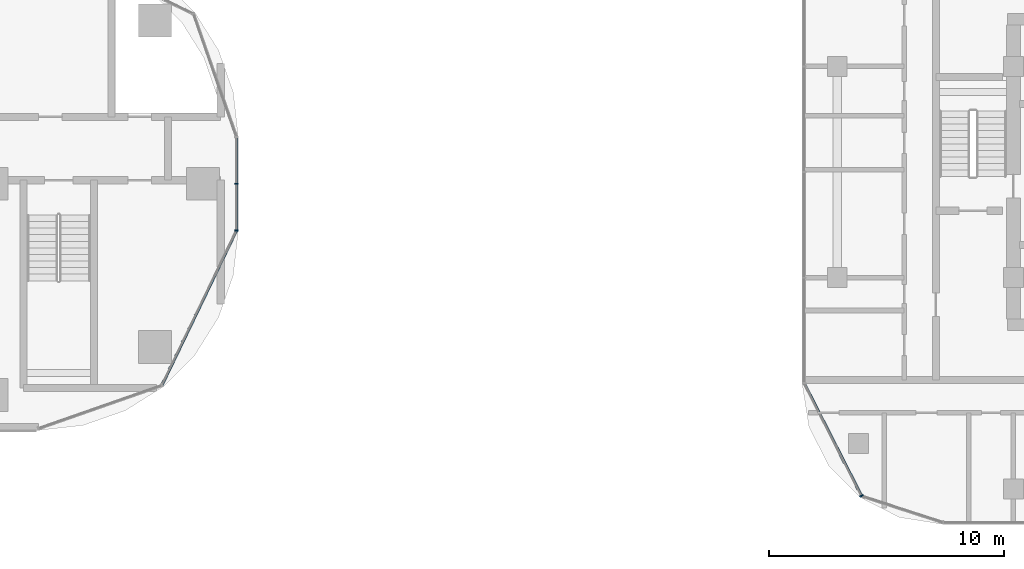
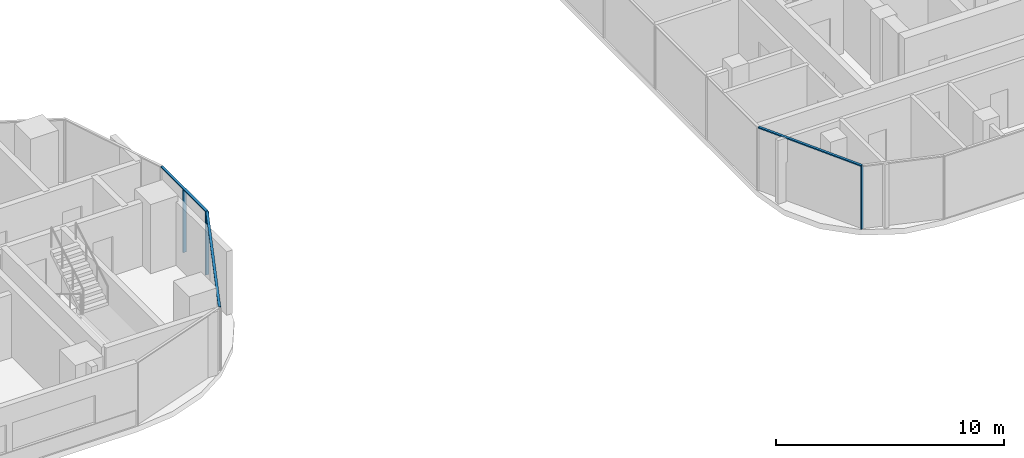
# One storey, part 7 of 33: 6 members, 3 elements without a shape of their own.
"""IFC4 building model written with IfcOpenShell, lengths in metres."""

from ifc_helpers import new_model, si_unit, direction, frame, origin, origin_2d, place, context, subcontext, project, spatial, rectangle, extrude, material, material_profile, profile_set, type_object, element, aggregate, save


model = new_model("IFC4")

# Units and contexts
model_context = context("Model", 3, precision=1e-05, world=origin(), true_north=direction((0.0, 1.0)))
body_context = subcontext(model_context, "Body", "Model", "MODEL_VIEW")
ifc_project = project(units=[si_unit("LENGTHUNIT", "METRE"), si_unit("AREAUNIT", "SQUARE_METRE"), si_unit("VOLUMEUNIT", "CUBIC_METRE"), si_unit("PLANEANGLEUNIT", "RADIAN"), si_unit("MASSUNIT", "GRAM", prefix="KILO")], contexts=[model_context])

# Site, building, storey
site_placement = place(None, origin())
site = spatial("IfcSite", under=ifc_project, at=site_placement, CompositionType="ELEMENT")
building_placement = place(site_placement, origin())
building = spatial("IfcBuilding", under=site, at=building_placement, Name="Ogive Portal Towers", CompositionType="ELEMENT")
storey_placement = place(building_placement, frame((0.0, 0.0, 77.89990234375)))
storey = spatial("IfcBuildingStorey", under=building, at=storey_placement, Name="L18", CompositionType="ELEMENT", Elevation=77.89990234375)

# Curtain wall, members
ifc_material_1 = material(Name="Glass, clear low-iron insulated glazing", Category="glass")
curtain_wall_type_1 = type_object("IfcCurtainWallType", Name="CW FRONT RIBBON 4500", PredefinedType="NOTDEFINED", material=ifc_material_1)
curtain_wall_1_placement = place(storey_placement, origin())
curtain_wall_1 = element("IfcCurtainWall", 1, at=curtain_wall_1_placement, inside=storey, type_object=curtain_wall_type_1, Name="A:L18:f09:cw0", PredefinedType="NOTDEFINED")
ifc_material_2 = material(Name="Aluminium 6063 anodised", Category="aluminium")
ifc_material_profile_1 = material_profile(ifc_material_2, rectangle(XDim=0.159912109375, YDim=0.06005859375, at=origin_2d()), Name="AL 60x160")
ifc_profile_set_1 = profile_set([ifc_material_profile_1], Name="Aluminium 6063 anodised")
member_type_1 = type_object("IfcMemberType", Name="CW MULLION 60x160", PredefinedType="MULLION", material=ifc_profile_set_1)
member_1_placement = place(storey_placement, frame((95.919921875, 28.518310546875, 0.0), z_axis=(0.0, 0.0, 1.0), x_axis=(-1.0, 0.0, 0.0)))
member_1 = element("IfcMember", 2, at=member_1_placement, type_object=member_type_1, Name="mullion", PredefinedType="MULLION", context=body_context, shape_type="SweptSolid", body=[
    extrude(rectangle(XDim=0.159912109375, YDim=0.06005859375, at=origin_2d()), origin(), (0.0, 0.0, 1.0), 3.340087890625),
])
member_2_placement = place(storey_placement, frame((95.919921875, 30.5, 0.0), z_axis=(0.0, 0.0, 1.0), x_axis=(-1.0, 0.0, 0.0)))
member_2 = element("IfcMember", 3, at=member_2_placement, type_object=member_type_1, Name="mullion", PredefinedType="MULLION", context=body_context, shape_type="SweptSolid", body=[
    extrude(rectangle(XDim=0.159912109375, YDim=0.06005859375, at=origin_2d()), origin(), (0.0, 0.0, 1.0), 3.340087890625),
])

# Curtain wall, member
curtain_wall_type_2 = type_object("IfcCurtainWallType", Name="CW RESIDENCES RIBBON", PredefinedType="NOTDEFINED", material=ifc_material_1)
curtain_wall_2_placement = place(storey_placement, origin())
curtain_wall_2 = element("IfcCurtainWall", 4, at=curtain_wall_2_placement, inside=storey, type_object=curtain_wall_type_2, Name="B:L18:f00:cwa", PredefinedType="NOTDEFINED")
member_3_placement = place(storey_placement, frame((122.529541015625, 17.211669921875, 0.0), z_axis=(0.0, 0.0, 1.0), x_axis=(0.891006524188, 0.45399049974, 0.0)))
member_3 = element("IfcMember", 5, at=member_3_placement, type_object=member_type_1, Name="mullion", PredefinedType="MULLION", context=body_context, shape_type="SweptSolid", body=[
    extrude(rectangle(XDim=0.159912109375, YDim=0.06005859375, at=origin_2d()), origin(), (0.0, 0.0, 1.0), 3.340087890625),
])

# Member
ifc_material_profile_2 = material_profile(ifc_material_2, rectangle(XDim=0.1201171875, YDim=0.06005859375, at=origin_2d()), Name="AL 120x60")
ifc_profile_set_2 = profile_set([ifc_material_profile_2], Name="Aluminium 6063 anodised")
member_type_2 = type_object("IfcMemberType", Name="CW TRANSOM 60x120", PredefinedType="USERDEFINED", material=ifc_profile_set_2)
member_4_placement = place(storey_placement, frame((95.919921875, 28.518310546875, 3.3701171875), z_axis=(0.0, 1.0, 0.0), x_axis=(-1.0, 0.0, 0.0)))
member_4 = element("IfcMember", 6, at=member_4_placement, type_object=member_type_2, Name="transom", ObjectType="TRANSOM", PredefinedType="USERDEFINED", context=body_context, shape_type="SweptSolid", body=[
    extrude(rectangle(XDim=0.1201171875, YDim=0.06005859375, at=origin_2d()), origin(), (0.0, 0.0, 1.0), 3.968017578125),
])

aggregate(curtain_wall_1, [member_4, member_1, member_2])

# Curtain wall, member
curtain_wall_3_placement = place(storey_placement, origin())
curtain_wall_3 = element("IfcCurtainWall", 7, at=curtain_wall_3_placement, inside=storey, type_object=curtain_wall_type_1, Name="A:L18:f07:cwa", PredefinedType="NOTDEFINED")
member_5_placement = place(storey_placement, frame((92.741943359375, 21.9189453125, 3.3701171875), z_axis=(0.433871738997, 0.900974646757, 0.0), x_axis=(-0.900974646757, 0.433871738997, 0.0)))
member_5 = element("IfcMember", 8, at=member_5_placement, type_object=member_type_2, Name="transom", ObjectType="TRANSOM", PredefinedType="USERDEFINED", context=body_context, shape_type="SweptSolid", body=[
    extrude(rectangle(XDim=0.1201171875, YDim=0.06005859375, at=origin_2d()), origin(), (0.0, 0.0, 1.0), 7.32470703125),
])
aggregate(curtain_wall_3, [member_5])

# Member
member_6_placement = place(storey_placement, frame((120.080078125, 22.019287109375, 3.3701171875), z_axis=(0.453969839149, -0.891017050983, 0.0), x_axis=(0.891017050983, 0.453969839149, 0.0)))
member_6 = element("IfcMember", 9, at=member_6_placement, type_object=member_type_2, Name="transom", ObjectType="TRANSOM", PredefinedType="USERDEFINED", context=body_context, shape_type="SweptSolid", body=[
    extrude(rectangle(XDim=0.1201171875, YDim=0.06005859375, at=origin_2d()), origin(), (0.0, 0.0, 1.0), 5.395751953125),
])

aggregate(curtain_wall_2, [member_6, member_3])

save(model, "model.ifc")
